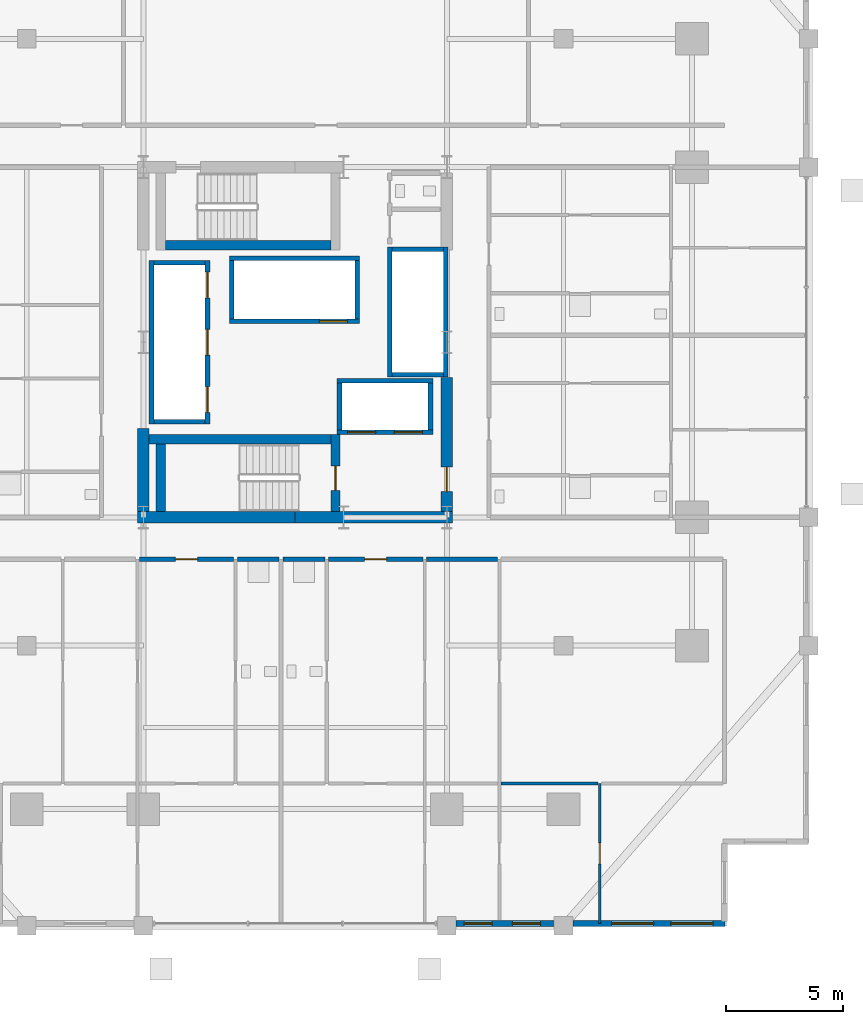
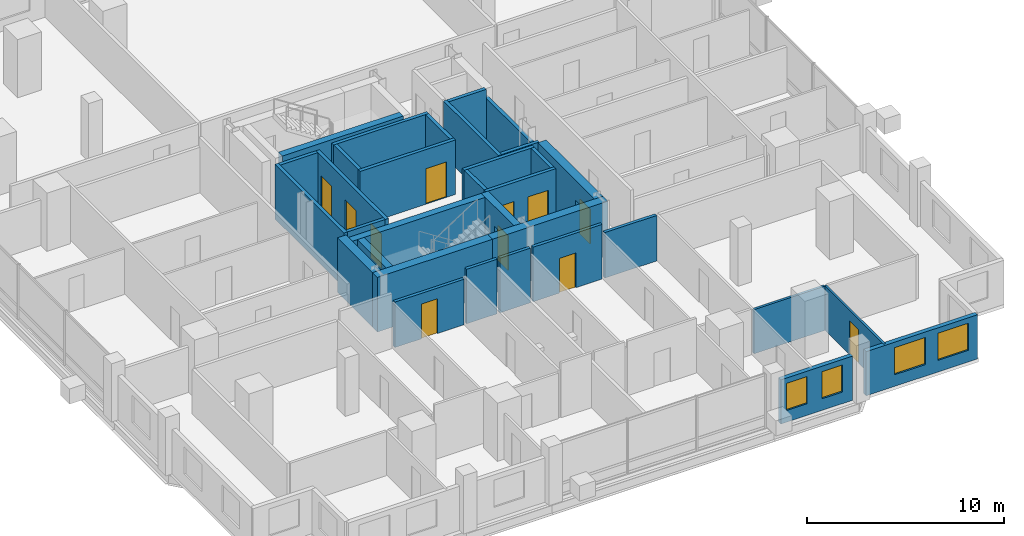
# One storey, part 18 of 23: 33 walls, 11 doors, 4 windows, 15 openings.
"""IFC4 building model written with IfcOpenShell, lengths in metres."""

from ifc_helpers import new_model, si_unit, direction, frame, frame_2d, origin, place, context, subcontext, project, spatial, rectangle, extrude, material, layer, layer_set, type_object, element, fill, save


model = new_model("IFC4")

# Units and contexts
model_context = context("Model", 3, precision=1e-05, world=origin(), true_north=direction((0.0, 1.0)))
body_context = subcontext(model_context, "Body", "Model", "MODEL_VIEW")
ifc_project = project(units=[si_unit("LENGTHUNIT", "METRE"), si_unit("AREAUNIT", "SQUARE_METRE"), si_unit("VOLUMEUNIT", "CUBIC_METRE"), si_unit("PLANEANGLEUNIT", "RADIAN"), si_unit("MASSUNIT", "GRAM", prefix="KILO")], contexts=[model_context])

# Site, building, storey
site_placement = place(None, origin())
site = spatial("IfcSite", under=ifc_project, at=site_placement, CompositionType="ELEMENT")
building_placement = place(site_placement, origin())
building = spatial("IfcBuilding", under=site, at=building_placement, Name="Barlavira Tower and Art Museum", CompositionType="ELEMENT")
storey_placement = place(building_placement, frame((0.0, 0.0, 75.60009765625)))
storey = spatial("IfcBuildingStorey", under=building, at=storey_placement, Name="L18", CompositionType="ELEMENT", Elevation=75.60009765625)

# Wall, opening, door
ifc_material_1 = material(Name="Gypsum acoustic stud partition", Category="gypsum")
ifc_layer_1 = layer(ifc_material_1, 0.1201171875, Name="Gypsum acoustic stud partition")
ifc_layer_set_1 = layer_set([ifc_layer_1], Name="Gypsum acoustic stud partition")
wall_type_1 = type_object("IfcWallType", Name="Apartment Internal Acoustic Partition 120", PredefinedType="PARTITIONING", material=ifc_layer_set_1)
wall_1_placement = place(storey_placement, frame((13.050048828125, -24.89990234375, 0.0), z_axis=(0.0, 0.0, 1.0), x_axis=(0.0, 1.0, 0.0)))
wall_1 = element("IfcWall", 1, at=wall_1_placement, inside=storey, type_object=wall_type_1, Name="L18 Partition Wall 16", PredefinedType="PARTITIONING", context=body_context, shape_type="SweptSolid", body=[
    extrude(rectangle(XDim=6.0, YDim=0.1201171875, at=frame_2d((3.0, 0.0))), origin(), (0.0, 0.0, 1.0), 2.73583984375),
])
opening_1_placement = place(wall_1_placement, frame((2.550048828125, 0.0, 0.0)))
opening_1 = element("IfcOpeningElement", 2, at=opening_1_placement, cuts=wall_1, Name="Opening D-01", PredefinedType="OPENING", context=body_context, shape_type="SweptSolid", body=[
    extrude(rectangle(XDim=0.89990234375, YDim=2.10009765625, at=frame_2d((0.449951171875, 1.050048828125))), frame((0.0, 0.070068359375, 0.0), z_axis=(0.0, -1.0, 0.0), x_axis=(1.0, 0.0, 0.0)), (0.0, 0.0, 1.0), 0.14013671875),
])
ifc_material_2 = material(Name="Engineered coastal hardwood", Category="wood")
door_type_1 = type_object("IfcDoorType", Name="Internal Bedroom Timber Flush Door 900x2100", OperationType="NOTDEFINED", PredefinedType="DOOR", material=ifc_material_2)
door_1_placement = place(opening_1_placement, origin())
door_1 = element("IfcDoor", 3, at=door_1_placement, inside=storey, type_object=door_type_1, Name="Apartment S2 Bedroom 3 Door", OperationType="SINGLE_SWING_RIGHT", OverallHeight=2.10009765625, OverallWidth=0.89990234375, PredefinedType="DOOR", context=body_context, shape_type="SweptSolid", body=[
    extrude(rectangle(XDim=0.89990234375, YDim=2.10009765625, at=frame_2d((0.449951171875, 1.050048828125))), frame((0.0, 0.02490234375, 0.0), z_axis=(0.0, -1.0, 0.0), x_axis=(1.0, 0.0, 0.0)), (0.0, 0.0, 1.0), 0.050048828125),
])
fill(opening_1, door_1)

# Walls
ifc_material_3 = material(Name="Concrete C60", Category="concrete")
ifc_layer_2 = layer(ifc_material_3, 0.5, Name="Concrete C60")
ifc_layer_set_2 = layer_set([ifc_layer_2], Name="Concrete C60")
wall_type_2 = type_object("IfcWallType", Name="Core Structural Shear Wall 500 Concrete C60", PredefinedType="SHEAR", material=ifc_layer_set_2)
for number, where, z_axis, x_axis, name in (
    (4, (-6.75, -7.5, 0.0), (0.0, 0.0, 1.0), (1.0, 0.0, 0.0), "L18 Core Shear Wall CS-SW"),
    (5, (0.0, -7.5, 0.0), (0.0, 0.0, 1.0), (1.0, 0.0, 0.0), "L18 Core Shear Wall CS-SE"),
):
    element("IfcWall", number, at=place(storey_placement, frame(where, z_axis=z_axis, x_axis=x_axis)), inside=storey, type_object=wall_type_2, Name=name, PredefinedType="SHEAR", context=body_context, shape_type="SweptSolid", body=[
        extrude(rectangle(XDim=6.75, YDim=0.5, at=frame_2d((3.375, 0.0))), origin(), (0.0, 0.0, 1.0), 3.3798828125),
    ])
wall_2_placement = place(storey_placement, frame((-6.5, -7.25, 0.0), z_axis=(0.0, 0.0, 1.0), x_axis=(0.0, 1.0, 0.0)))
element("IfcWall", 6, at=wall_2_placement, inside=storey, type_object=wall_type_2, Name="L18 Core Shear Wall CS-W1", PredefinedType="SHEAR", context=body_context, shape_type="SweptSolid", body=[
    extrude(rectangle(XDim=3.550048828125, YDim=0.5, at=frame_2d((1.77490234375, 0.0))), origin(), (0.0, 0.0, 1.0), 3.3798828125),
])

# Wall, opening, door
wall_3_placement = place(storey_placement, frame((6.5, -7.25, 0.0), z_axis=(0.0, 0.0, 1.0), x_axis=(0.0, 1.0, 0.0)))
wall_3 = element("IfcWall", 7, at=wall_3_placement, inside=storey, type_object=wall_type_2, Name="L18 Core Shear Wall CS-E1", PredefinedType="SHEAR", context=body_context, shape_type="SweptSolid", body=[
    extrude(rectangle(XDim=5.75, YDim=0.5, at=frame_2d((2.875, 0.0))), origin(), (0.0, 0.0, 1.0), 3.3798828125),
])
opening_2_placement = place(wall_3_placement, frame((0.85009765625, 0.0, 0.0)))
opening_2 = element("IfcOpeningElement", 8, at=opening_2_placement, cuts=wall_3, Name="Opening FD-90", PredefinedType="OPENING", context=body_context, shape_type="SweptSolid", body=[
    extrude(rectangle(XDim=1.050048828125, YDim=2.14990234375, at=frame_2d((0.52490234375, 1.074951171875))), frame((0.0, 0.260009765625, 0.0), z_axis=(0.0, -1.0, 0.0), x_axis=(1.0, 0.0, 0.0)), (0.0, 0.0, 1.0), 0.52001953125),
])
ifc_material_4 = material(Name="Brushed stainless steel", Category="steel")
door_type_2 = type_object("IfcDoorType", Name="Stair and Refuge Fire Door 1050x2150 FD90S", OperationType="NOTDEFINED", PredefinedType="DOOR", material=ifc_material_4)
door_2_placement = place(opening_2_placement, origin())
door_2 = element("IfcDoor", 9, at=door_2_placement, inside=storey, type_object=door_type_2, Name="L18 Firefighting Lobby Entry Fire Door", OperationType="SINGLE_SWING_LEFT", OverallHeight=2.14990234375, OverallWidth=1.050048828125, PredefinedType="DOOR", context=body_context, shape_type="SweptSolid", body=[
    extrude(rectangle(XDim=1.050048828125, YDim=2.14990234375, at=frame_2d((0.52490234375, 1.074951171875))), frame((0.0, 0.02490234375, 0.0), z_axis=(0.0, -1.0, 0.0), x_axis=(1.0, 0.0, 0.0)), (0.0, 0.0, 1.0), 0.050048828125),
])
fill(opening_2, door_2)

# Wall, openings, doors
ifc_material_5 = material(Name="Autoclaved aerated concrete masonry", Category="masonry")
ifc_layer_3 = layer(ifc_material_5, 0.199951171875, Name="Autoclaved aerated concrete masonry")
ifc_layer_set_3 = layer_set([ifc_layer_3], Name="Autoclaved aerated concrete masonry")
wall_type_3 = type_object("IfcWallType", Name="Fire Compartment and Shaft Wall 200", PredefinedType="SOLIDWALL", material=ifc_layer_set_3)
wall_4_placement = place(storey_placement, frame((-3.75, -3.510009765625, 0.0), z_axis=(0.0, 0.0, 1.0), x_axis=(0.0, 1.0, 0.0)))
wall_4 = element("IfcWall", 10, at=wall_4_placement, inside=storey, type_object=wall_type_3, Name="L18 Low-Rise Lift Front Shaft Wall", PredefinedType="SOLIDWALL", context=body_context, shape_type="SweptSolid", body=[
    extrude(rectangle(XDim=7.02001953125, YDim=0.199951171875, at=frame_2d((3.510009765625, 0.0))), origin(), (0.0, 0.0, 1.0), 3.3798828125),
])
opening_3_placement = place(wall_4_placement, frame((0.510009765625, 0.0, 0.0)))
opening_3 = element("IfcOpeningElement", 11, at=opening_3_placement, cuts=wall_4, Name="Opening LD-P", PredefinedType="OPENING", context=body_context, shape_type="SweptSolid", body=[
    extrude(rectangle(XDim=1.10009765625, YDim=2.14990234375, at=frame_2d((0.550048828125, 1.074951171875))), frame((0.0, 0.10986328125, 0.0), z_axis=(0.0, -1.0, 0.0), x_axis=(1.0, 0.0, 0.0)), (0.0, 0.0, 1.0), 0.219970703125),
])
opening_4_placement = place(wall_4_placement, frame((2.9599609375, 0.0, 0.0)))
opening_4 = element("IfcOpeningElement", 12, at=opening_4_placement, cuts=wall_4, Name="Opening LD-P", PredefinedType="OPENING", context=body_context, shape_type="SweptSolid", body=[
    extrude(rectangle(XDim=1.10009765625, YDim=2.14990234375, at=frame_2d((0.550048828125, 1.074951171875))), frame((0.0, 0.10986328125, 0.0), z_axis=(0.0, -1.0, 0.0), x_axis=(1.0, 0.0, 0.0)), (0.0, 0.0, 1.0), 0.219970703125),
])
opening_5_placement = place(wall_4_placement, frame((5.409912109375, 0.0, 0.0)))
opening_5 = element("IfcOpeningElement", 13, at=opening_5_placement, cuts=wall_4, Name="Opening LD-P", PredefinedType="OPENING", context=body_context, shape_type="SweptSolid", body=[
    extrude(rectangle(XDim=1.10009765625, YDim=2.14990234375, at=frame_2d((0.550048828125, 1.074951171875))), frame((0.0, 0.10986328125, 0.0), z_axis=(0.0, -1.0, 0.0), x_axis=(1.0, 0.0, 0.0)), (0.0, 0.0, 1.0), 0.219970703125),
])
door_type_3 = type_object("IfcDoorType", Name="Passenger Lift Sliding Landing Door 1100x2150 FD60", OperationType="NOTDEFINED", PredefinedType="DOOR", material=ifc_material_4)
door_3_placement = place(opening_3_placement, origin())
door_3 = element("IfcDoor", 14, at=door_3_placement, inside=storey, type_object=door_type_3, Name="L18 Lift PL1 Sliding Landing Door", OperationType="DOUBLE_DOOR_SLIDING", OverallHeight=2.14990234375, OverallWidth=1.10009765625, PredefinedType="DOOR", context=body_context, shape_type="SweptSolid", body=[
    extrude(rectangle(XDim=1.10009765625, YDim=2.14990234375, at=frame_2d((0.550048828125, 1.074951171875))), frame((0.0, 0.02490234375, 0.0), z_axis=(0.0, -1.0, 0.0), x_axis=(1.0, 0.0, 0.0)), (0.0, 0.0, 1.0), 0.050048828125),
])
fill(opening_3, door_3)
door_4_placement = place(opening_4_placement, origin())
door_4 = element("IfcDoor", 15, at=door_4_placement, inside=storey, type_object=door_type_3, Name="L18 Lift PL2 Sliding Landing Door", OperationType="DOUBLE_DOOR_SLIDING", OverallHeight=2.14990234375, OverallWidth=1.10009765625, PredefinedType="DOOR", context=body_context, shape_type="SweptSolid", body=[
    extrude(rectangle(XDim=1.10009765625, YDim=2.14990234375, at=frame_2d((0.550048828125, 1.074951171875))), frame((0.0, 0.02490234375, 0.0), z_axis=(0.0, -1.0, 0.0), x_axis=(1.0, 0.0, 0.0)), (0.0, 0.0, 1.0), 0.050048828125),
])
fill(opening_4, door_4)
door_5_placement = place(opening_5_placement, origin())
door_5 = element("IfcDoor", 16, at=door_5_placement, inside=storey, type_object=door_type_3, Name="L18 Lift PL3 Sliding Landing Door", OperationType="DOUBLE_DOOR_SLIDING", OverallHeight=2.14990234375, OverallWidth=1.10009765625, PredefinedType="DOOR", context=body_context, shape_type="SweptSolid", body=[
    extrude(rectangle(XDim=1.10009765625, YDim=2.14990234375, at=frame_2d((0.550048828125, 1.074951171875))), frame((0.0, 0.02490234375, 0.0), z_axis=(0.0, -1.0, 0.0), x_axis=(1.0, 0.0, 0.0)), (0.0, 0.0, 1.0), 0.050048828125),
])
fill(opening_5, door_5)

# Walls
wall_5_placement = place(storey_placement, frame((-6.14990234375, -3.510009765625, 0.0), z_axis=(0.0, 0.0, 1.0), x_axis=(0.0, 1.0, 0.0)))
element("IfcWall", 17, at=wall_5_placement, inside=storey, type_object=wall_type_3, Name="L18 Low-Rise Lift Back Shaft Wall", PredefinedType="SOLIDWALL", context=body_context, shape_type="SweptSolid", body=[
    extrude(rectangle(XDim=7.02001953125, YDim=0.199951171875, at=frame_2d((3.510009765625, 0.0))), origin(), (0.0, 0.0, 1.0), 3.3798828125),
])
for number, where, z_axis, x_axis, name in (
    (18, (-6.050048828125, -3.409912109375, 0.0), (0.0, 0.0, 1.0), (1.0, 0.0, 0.0), "L18 Low-Rise Lift South Shaft Wall"),
    (19, (-6.050048828125, 3.409912109375, 0.0), (0.0, 0.0, 1.0), (1.0, 0.0, 0.0), "L18 Low-Rise Lift North Shaft Wall"),
):
    element("IfcWall", number, at=place(storey_placement, frame(where, z_axis=z_axis, x_axis=x_axis)), inside=storey, type_object=wall_type_3, Name=name, PredefinedType="SOLIDWALL", context=body_context, shape_type="SweptSolid", body=[
        extrude(rectangle(XDim=2.199951171875, YDim=0.199951171875, at=frame_2d((1.10009765625, 0.0))), origin(), (0.0, 0.0, 1.0), 3.3798828125),
    ])
wall_6_placement = place(storey_placement, frame((4.050048828125, -1.489990234375, 0.0), z_axis=(0.0, 0.0, 1.0), x_axis=(0.0, 1.0, 0.0)))
element("IfcWall", 20, at=wall_6_placement, inside=storey, type_object=wall_type_3, Name="L18 Mid-Rise Lift Front Shaft Wall", PredefinedType="SOLIDWALL", context=body_context, shape_type="SweptSolid", body=[
    extrude(rectangle(XDim=5.580078125, YDim=0.199951171875, at=frame_2d((2.7900390625, 0.0))), origin(), (0.0, 0.0, 1.0), 3.3798828125),
])
wall_7_placement = place(storey_placement, frame((6.449951171875, -1.489990234375, 0.0), z_axis=(0.0, 0.0, 1.0), x_axis=(0.0, 1.0, 0.0)))
element("IfcWall", 21, at=wall_7_placement, inside=storey, type_object=wall_type_3, Name="L18 Mid-Rise Lift Back Shaft Wall", PredefinedType="SOLIDWALL", context=body_context, shape_type="SweptSolid", body=[
    extrude(rectangle(XDim=5.580078125, YDim=0.199951171875, at=frame_2d((2.7900390625, 0.0))), origin(), (0.0, 0.0, 1.0), 2.81591796875),
])
for number, where, z_axis, x_axis, name in (
    (22, (4.14990234375, -1.389892578125, 0.0), (0.0, 0.0, 1.0), (1.0, 0.0, 0.0), "L18 Mid-Rise Lift South Shaft Wall"),
    (23, (4.14990234375, 3.989990234375, 0.0), (0.0, 0.0, 1.0), (1.0, 0.0, 0.0), "L18 Mid-Rise Lift North Shaft Wall"),
):
    element("IfcWall", number, at=place(storey_placement, frame(where, z_axis=z_axis, x_axis=x_axis)), inside=storey, type_object=wall_type_3, Name=name, PredefinedType="SOLIDWALL", context=body_context, shape_type="SweptSolid", body=[
        extrude(rectangle(XDim=2.2001953125, YDim=0.199951171875, at=frame_2d((1.10009765625, 0.0))), origin(), (0.0, 0.0, 1.0), 3.3798828125),
    ])

# Wall, opening, door
wall_8_placement = place(storey_placement, frame((-2.820068359375, 0.89990234375, 0.0), z_axis=(0.0, 0.0, 1.0), x_axis=(1.0, 0.0, 0.0)))
wall_8 = element("IfcWall", 24, at=wall_8_placement, inside=storey, type_object=wall_type_3, Name="L18 High-Rise & Service Lift Front Wall", PredefinedType="SOLIDWALL", context=body_context, shape_type="SweptSolid", body=[
    extrude(rectangle(XDim=5.580078125, YDim=0.199951171875, at=frame_2d((2.7900390625, 0.0))), origin(), (0.0, 0.0, 1.0), 3.3798828125),
])
opening_6_placement = place(wall_8_placement, frame((3.860107421875, 0.0, 0.0)))
opening_6 = element("IfcOpeningElement", 25, at=opening_6_placement, cuts=wall_8, Name="Opening LD-F", PredefinedType="OPENING", context=body_context, shape_type="SweptSolid", body=[
    extrude(rectangle(XDim=1.199951171875, YDim=2.199951171875, at=frame_2d((0.60009765625, 1.10009765625))), frame((0.0, 0.10986328125, 0.0), z_axis=(0.0, -1.0, 0.0), x_axis=(1.0, 0.0, 0.0)), (0.0, 0.0, 1.0), 0.219970703125),
])
door_type_4 = type_object("IfcDoorType", Name="Firefighting and Service Lift Sliding Door 1200x2200 FD120", OperationType="NOTDEFINED", PredefinedType="DOOR", material=ifc_material_4)
door_6_placement = place(opening_6_placement, origin())
door_6 = element("IfcDoor", 26, at=door_6_placement, inside=storey, type_object=door_type_4, Name="L18 Stretcher Service Lift SL1 Sliding Door", OperationType="DOUBLE_DOOR_SLIDING", OverallHeight=2.199951171875, OverallWidth=1.199951171875, PredefinedType="DOOR", context=body_context, shape_type="SweptSolid", body=[
    extrude(rectangle(XDim=1.199951171875, YDim=2.199951171875, at=frame_2d((0.60009765625, 1.10009765625))), frame((0.0, 0.02490234375, 0.0), z_axis=(0.0, -1.0, 0.0), x_axis=(1.0, 0.0, 0.0)), (0.0, 0.0, 1.0), 0.050048828125),
])
fill(opening_6, door_6)

# Walls
wall_9_placement = place(storey_placement, frame((-2.820068359375, 3.60009765625, 0.0), z_axis=(0.0, 0.0, 1.0), x_axis=(1.0, 0.0, 0.0)))
element("IfcWall", 27, at=wall_9_placement, inside=storey, type_object=wall_type_3, Name="L18 High-Rise & Service Lift Back Wall", PredefinedType="SOLIDWALL", context=body_context, shape_type="SweptSolid", body=[
    extrude(rectangle(XDim=5.580078125, YDim=0.199951171875, at=frame_2d((2.7900390625, 0.0))), origin(), (0.0, 0.0, 1.0), 3.3798828125),
])
for number, where, z_axis, x_axis, name in (
    (28, (-2.719970703125, 1.0, 0.0), (0.0, 0.0, 1.0), (0.0, 1.0, 0.0), "L18 High-Rise & Service Lift West Wall"),
    (29, (2.659912109375, 1.0, 0.0), (0.0, 0.0, 1.0), (0.0, 1.0, 0.0), "L18 High-Rise & Service Lift East Wall"),
):
    element("IfcWall", number, at=place(storey_placement, frame(where, z_axis=z_axis, x_axis=x_axis)), inside=storey, type_object=wall_type_3, Name=name, PredefinedType="SOLIDWALL", context=body_context, shape_type="SweptSolid", body=[
        extrude(rectangle(XDim=2.5, YDim=0.199951171875, at=frame_2d((1.25, 0.0))), origin(), (0.0, 0.0, 1.0), 3.3798828125),
    ])

# Wall, openings, doors
wall_10_placement = place(storey_placement, frame((1.800048828125, -3.85009765625, 0.0), z_axis=(0.0, 0.0, 1.0), x_axis=(1.0, 0.0, 0.0)))
wall_10 = element("IfcWall", 30, at=wall_10_placement, inside=storey, type_object=wall_type_3, Name="L18 Firefighting Lift Front Shaft Wall", PredefinedType="SOLIDWALL", context=body_context, shape_type="SweptSolid", body=[
    extrude(rectangle(XDim=4.099853515625, YDim=0.199951171875, at=frame_2d((2.0498046875, 0.0))), origin(), (0.0, 0.0, 1.0), 3.3798828125),
])
opening_7_placement = place(wall_10_placement, frame((0.449951171875, 0.0, 0.0)))
opening_7 = element("IfcOpeningElement", 31, at=opening_7_placement, cuts=wall_10, Name="Opening LD-F", PredefinedType="OPENING", context=body_context, shape_type="SweptSolid", body=[
    extrude(rectangle(XDim=1.199951171875, YDim=2.199951171875, at=frame_2d((0.60009765625, 1.10009765625))), frame((0.0, 0.10986328125, 0.0), z_axis=(0.0, -1.0, 0.0), x_axis=(1.0, 0.0, 0.0)), (0.0, 0.0, 1.0), 0.219970703125),
])
opening_8_placement = place(wall_10_placement, frame((2.449951171875, 0.0, 0.0)))
opening_8 = element("IfcOpeningElement", 32, at=opening_8_placement, cuts=wall_10, Name="Opening LD-F", PredefinedType="OPENING", context=body_context, shape_type="SweptSolid", body=[
    extrude(rectangle(XDim=1.199951171875, YDim=2.199951171875, at=frame_2d((0.60009765625, 1.10009765625))), frame((0.0, 0.10986328125, 0.0), z_axis=(0.0, -1.0, 0.0), x_axis=(1.0, 0.0, 0.0)), (0.0, 0.0, 1.0), 0.219970703125),
])
door_7_placement = place(opening_7_placement, origin())
door_7 = element("IfcDoor", 33, at=door_7_placement, inside=storey, type_object=door_type_4, Name="L18 Firefighting Lift FF1 Sliding Door", OperationType="DOUBLE_DOOR_SLIDING", OverallHeight=2.199951171875, OverallWidth=1.199951171875, PredefinedType="DOOR", context=body_context, shape_type="SweptSolid", body=[
    extrude(rectangle(XDim=1.199951171875, YDim=2.199951171875, at=frame_2d((0.60009765625, 1.10009765625))), frame((0.0, 0.02490234375, 0.0), z_axis=(0.0, -1.0, 0.0), x_axis=(1.0, 0.0, 0.0)), (0.0, 0.0, 1.0), 0.050048828125),
])
fill(opening_7, door_7)
door_8_placement = place(opening_8_placement, origin())
door_8 = element("IfcDoor", 34, at=door_8_placement, inside=storey, type_object=door_type_4, Name="L18 Firefighting Lift FF2 Sliding Door", OperationType="DOUBLE_DOOR_SLIDING", OverallHeight=2.199951171875, OverallWidth=1.199951171875, PredefinedType="DOOR", context=body_context, shape_type="SweptSolid", body=[
    extrude(rectangle(XDim=1.199951171875, YDim=2.199951171875, at=frame_2d((0.60009765625, 1.10009765625))), frame((0.0, 0.02490234375, 0.0), z_axis=(0.0, -1.0, 0.0), x_axis=(1.0, 0.0, 0.0)), (0.0, 0.0, 1.0), 0.050048828125),
])
fill(opening_8, door_8)

# Walls
wall_11_placement = place(storey_placement, frame((1.800048828125, -1.64990234375, 0.0), z_axis=(0.0, 0.0, 1.0), x_axis=(1.0, 0.0, 0.0)))
element("IfcWall", 35, at=wall_11_placement, inside=storey, type_object=wall_type_3, Name="L18 Firefighting Lift Back Shaft Wall", PredefinedType="SOLIDWALL", context=body_context, shape_type="SweptSolid", body=[
    extrude(rectangle(XDim=4.099853515625, YDim=0.199951171875, at=frame_2d((2.0498046875, 0.0))), origin(), (0.0, 0.0, 1.0), 3.3798828125),
])
for number, where, z_axis, x_axis, name in (
    (36, (1.89990234375, -3.75, 0.0), (0.0, 0.0, 1.0), (0.0, 1.0, 0.0), "L18 Firefighting Lift West Shaft Wall"),
    (37, (5.800048828125, -3.75, 0.0), (0.0, 0.0, 1.0), (0.0, 1.0, 0.0), "L18 Firefighting Lift East Shaft Wall"),
):
    element("IfcWall", number, at=place(storey_placement, frame(where, z_axis=z_axis, x_axis=x_axis)), inside=storey, type_object=wall_type_3, Name=name, PredefinedType="SOLIDWALL", context=body_context, shape_type="SweptSolid", body=[
        extrude(rectangle(XDim=2.0, YDim=0.199951171875, at=frame_2d((1.0, 0.0))), origin(), (0.0, 0.0, 1.0), 3.3798828125),
    ])

# Wall, opening, door
ifc_layer_4 = layer(ifc_material_1, 0.179931640625, Name="Gypsum acoustic stud partition")
ifc_layer_set_4 = layer_set([ifc_layer_4], Name="Gypsum acoustic stud partition")
wall_type_4 = type_object("IfcWallType", Name="Inter-Tenancy Party Partition Wall 180", PredefinedType="PARTITIONING", material=ifc_layer_set_4)
wall_12_placement = place(storey_placement, frame((-6.669921875, -9.300048828125, 0.0), z_axis=(0.0, 0.0, 1.0), x_axis=(1.0, 0.0, 0.0)))
wall_12 = element("IfcWall", 38, at=wall_12_placement, inside=storey, type_object=wall_type_4, Name="L18 Partition Wall 31", PredefinedType="PARTITIONING", context=body_context, shape_type="SweptSolid", body=[
    extrude(rectangle(XDim=4.0400390625, YDim=0.179931640625, at=frame_2d((2.02001953125, 0.0))), origin(), (0.0, 0.0, 1.0), 2.81591796875),
])
opening_9_placement = place(wall_12_placement, frame((1.544921875, 0.0, 0.0)))
opening_9 = element("IfcOpeningElement", 39, at=opening_9_placement, cuts=wall_12, Name="Opening FD-60", PredefinedType="OPENING", context=body_context, shape_type="SweptSolid", body=[
    extrude(rectangle(XDim=0.949951171875, YDim=2.14990234375, at=frame_2d((0.47509765625, 1.074951171875))), frame((0.0, 0.10009765625, 0.0), z_axis=(0.0, -1.0, 0.0), x_axis=(1.0, 0.0, 0.0)), (0.0, 0.0, 1.0), 0.199951171875),
])
door_type_5 = type_object("IfcDoorType", Name="Apartment Entrance and Riser Fire Door 950x2150 FD60S", OperationType="NOTDEFINED", PredefinedType="DOOR", material=ifc_material_4)
door_9_placement = place(opening_9_placement, origin())
door_9 = element("IfcDoor", 40, at=door_9_placement, inside=storey, type_object=door_type_5, Name="Apartment Entrance Hall S1 Door", OperationType="SINGLE_SWING_LEFT", OverallHeight=2.14990234375, OverallWidth=0.949951171875, PredefinedType="DOOR", context=body_context, shape_type="SweptSolid", body=[
    extrude(rectangle(XDim=0.949951171875, YDim=2.14990234375, at=frame_2d((0.47509765625, 1.074951171875))), frame((0.0, 0.02490234375, 0.0), z_axis=(0.0, -1.0, 0.0), x_axis=(1.0, 0.0, 0.0)), (0.0, 0.0, 1.0), 0.050048828125),
])
fill(opening_9, door_9)

# Walls
for number, where, z_axis, x_axis, name in (
    (41, (-2.469970703125, -9.300048828125, 0.0), (0.0, 0.0, 1.0), (1.0, 0.0, 0.0), "L18 Partition Wall 32"),
    (42, (-0.52001953125, -9.300048828125, 0.0), (0.0, 0.0, 1.0), (1.0, 0.0, 0.0), "L18 Partition Wall 33"),
):
    element("IfcWall", number, at=place(storey_placement, frame(where, z_axis=z_axis, x_axis=x_axis)), inside=storey, type_object=wall_type_4, Name=name, PredefinedType="PARTITIONING", context=body_context, shape_type="SweptSolid", body=[
        extrude(rectangle(XDim=1.7900390625, YDim=0.179931640625, at=frame_2d((0.89501953125, 0.0))), origin(), (0.0, 0.0, 1.0), 3.3798828125),
    ])

# Wall, opening, door
wall_13_placement = place(storey_placement, frame((1.429931640625, -9.300048828125, 0.0), z_axis=(0.0, 0.0, 1.0), x_axis=(1.0, 0.0, 0.0)))
wall_13 = element("IfcWall", 43, at=wall_13_placement, inside=storey, type_object=wall_type_4, Name="L18 Partition Wall 34", PredefinedType="PARTITIONING", context=body_context, shape_type="SweptSolid", body=[
    extrude(rectangle(XDim=4.0400390625, YDim=0.179931640625, at=frame_2d((2.02001953125, 0.0))), origin(), (0.0, 0.0, 1.0), 3.3798828125),
])
opening_10_placement = place(wall_13_placement, frame((1.544921875, 0.0, 0.0)))
opening_10 = element("IfcOpeningElement", 44, at=opening_10_placement, cuts=wall_13, Name="Opening FD-60", PredefinedType="OPENING", context=body_context, shape_type="SweptSolid", body=[
    extrude(rectangle(XDim=0.949951171875, YDim=2.14990234375, at=frame_2d((0.47509765625, 1.074951171875))), frame((0.0, 0.10009765625, 0.0), z_axis=(0.0, -1.0, 0.0), x_axis=(1.0, 0.0, 0.0)), (0.0, 0.0, 1.0), 0.199951171875),
])
door_10_placement = place(opening_10_placement, origin())
door_10 = element("IfcDoor", 45, at=door_10_placement, inside=storey, type_object=door_type_5, Name="Apartment Entrance Hall S2 Door", OperationType="SINGLE_SWING_RIGHT", OverallHeight=2.14990234375, OverallWidth=0.949951171875, PredefinedType="DOOR", context=body_context, shape_type="SweptSolid", body=[
    extrude(rectangle(XDim=0.949951171875, YDim=2.14990234375, at=frame_2d((0.47509765625, 1.074951171875))), frame((0.0, 0.02490234375, 0.0), z_axis=(0.0, -1.0, 0.0), x_axis=(1.0, 0.0, 0.0)), (0.0, 0.0, 1.0), 0.050048828125),
])
fill(opening_10, door_10)

# Walls
wall_14_placement = place(storey_placement, frame((5.6298828125, -9.300048828125, 0.0), z_axis=(0.0, 0.0, 1.0), x_axis=(1.0, 0.0, 0.0)))
element("IfcWall", 46, at=wall_14_placement, inside=storey, type_object=wall_type_4, Name="L18 Partition Wall 35", PredefinedType="PARTITIONING", context=body_context, shape_type="SweptSolid", body=[
    extrude(rectangle(XDim=3.0400390625, YDim=0.179931640625, at=frame_2d((1.52001953125, 0.0))), origin(), (0.0, 0.0, 1.0), 2.81591796875),
])
ifc_layer_5 = layer(ifc_material_1, 0.139892578125, Name="Gypsum acoustic stud partition")
ifc_layer_set_5 = layer_set([ifc_layer_5], Name="Gypsum acoustic stud partition")
wall_type_5 = type_object("IfcWallType", Name="Moisture-Resistant Bathroom Partition 140", PredefinedType="PARTITIONING", material=ifc_layer_set_5)
wall_15_placement = place(storey_placement, frame((8.830078125, -18.89990234375, 0.0), z_axis=(0.0, 0.0, 1.0), x_axis=(1.0, 0.0, 0.0)))
element("IfcWall", 47, at=wall_15_placement, inside=storey, type_object=wall_type_5, Name="L18 Partition Wall 27", PredefinedType="PARTITIONING", context=body_context, shape_type="SweptSolid", body=[
    extrude(rectangle(XDim=4.139892578125, YDim=0.139892578125, at=frame_2d((2.06982421875, 0.0))), origin(), (0.0, 0.0, 1.0), 2.73583984375),
])

# Wall, openings, windows
ifc_material_6 = material(Name="Precast concrete C40", Category="concrete")
ifc_layer_6 = layer(ifc_material_6, 0.25, Name="Precast concrete C40")
ifc_layer_set_6 = layer_set([ifc_layer_6], Name="Precast concrete C40")
wall_type_6 = type_object("IfcWallType", Name="Notched Corner Spandrel Wall 250 Precast Concrete C40", PredefinedType="SOLIDWALL", material=ifc_layer_set_6)
wall_16_placement = place(storey_placement, frame((6.89501953125, -24.89990234375, 0.0), z_axis=(0.0, 0.0, 1.0), x_axis=(1.0, 0.0, 0.0)))
wall_16 = element("IfcWall", 48, at=wall_16_placement, inside=storey, type_object=wall_type_6, Name="L18 Coastal Facade Pier Wall CW1-L18-S-4", PredefinedType="SOLIDWALL", context=body_context, shape_type="SweptSolid", body=[
    extrude(rectangle(XDim=4.2099609375, YDim=0.25, at=frame_2d((2.10498046875, 0.0))), origin(), (0.0, 0.0, 1.0), 2.73583984375),
])
opening_11_placement = place(wall_16_placement, frame((0.35009765625, 0.0, 0.719970703125)))
opening_11 = element("IfcOpeningElement", 49, at=opening_11_placement, cuts=wall_16, Name="Opening WN-05", PredefinedType="OPENING", context=body_context, shape_type="SweptSolid", body=[
    extrude(rectangle(XDim=1.199951171875, YDim=1.679931640625, at=frame_2d((0.60009765625, 0.83984375))), frame((0.0, 0.135009765625, 0.0), z_axis=(0.0, -1.0, 0.0), x_axis=(1.0, 0.0, 0.0)), (0.0, 0.0, 1.0), 0.27001953125),
])
opening_12_placement = place(wall_16_placement, frame((2.409912109375, 0.0, 0.719970703125)))
opening_12 = element("IfcOpeningElement", 50, at=opening_12_placement, cuts=wall_16, Name="Opening WN-05", PredefinedType="OPENING", context=body_context, shape_type="SweptSolid", body=[
    extrude(rectangle(XDim=1.199951171875, YDim=1.679931640625, at=frame_2d((0.60009765625, 0.83984375))), frame((0.0, 0.135009765625, 0.0), z_axis=(0.0, -1.0, 0.0), x_axis=(1.0, 0.0, 0.0)), (0.0, 0.0, 1.0), 0.27001953125),
])
ifc_material_7 = material(Name="Low-iron coastal laminated glass", Category="glass")
window_type_1 = type_object("IfcWindowType", Name="Recessed Flank Pier Punch Window 1200x1680", PartitioningType="SINGLE_PANEL", PredefinedType="WINDOW", material=ifc_material_7)
window_1_placement = place(opening_11_placement, origin())
window_1 = element("IfcWindow", 51, at=window_1_placement, inside=storey, type_object=window_type_1, Name="L18 Punched Facade Window EWP-CW1-L18-S-4-1", OverallHeight=1.679931640625, OverallWidth=1.199951171875, PartitioningType="SINGLE_PANEL", PredefinedType="WINDOW", context=body_context, shape_type="SweptSolid", body=[
    extrude(rectangle(XDim=1.199951171875, YDim=1.679931640625, at=frame_2d((0.60009765625, 0.83984375))), frame((0.0, 0.030029296875, 0.0), z_axis=(0.0, -1.0, 0.0), x_axis=(1.0, 0.0, 0.0)), (0.0, 0.0, 1.0), 0.06005859375),
])
fill(opening_11, window_1)
window_2_placement = place(opening_12_placement, origin())
window_2 = element("IfcWindow", 52, at=window_2_placement, inside=storey, type_object=window_type_1, Name="L18 Punched Facade Window EWP-CW1-L18-S-4-2", OverallHeight=1.679931640625, OverallWidth=1.199951171875, PartitioningType="SINGLE_PANEL", PredefinedType="WINDOW", context=body_context, shape_type="SweptSolid", body=[
    extrude(rectangle(XDim=1.199951171875, YDim=1.679931640625, at=frame_2d((0.60009765625, 0.83984375))), frame((0.0, 0.030029296875, 0.0), z_axis=(0.0, -1.0, 0.0), x_axis=(1.0, 0.0, 0.0)), (0.0, 0.0, 1.0), 0.06005859375),
])
fill(opening_12, window_2)

wall_17_placement = place(storey_placement, frame((11.89501953125, -24.89990234375, 0.0), z_axis=(0.0, 0.0, 1.0), x_axis=(1.0, 0.0, 0.0)))
wall_17 = element("IfcWall", 53, at=wall_17_placement, inside=storey, type_object=wall_type_6, Name="L18 Coastal Facade Pier Wall CW1-L18-S-5", PredefinedType="SOLIDWALL", context=body_context, shape_type="SweptSolid", body=[
    extrude(rectangle(XDim=6.530029296875, YDim=0.25, at=frame_2d((3.26513671875, 0.0))), origin(), (0.0, 0.0, 1.0), 2.73583984375),
])
opening_13_placement = place(wall_17_placement, frame((1.6640625, 0.0, 0.719970703125)))
opening_13 = element("IfcOpeningElement", 54, at=opening_13_placement, cuts=wall_17, Name="Opening WN-01", PredefinedType="OPENING", context=body_context, shape_type="SweptSolid", body=[
    extrude(rectangle(XDim=1.800048828125, YDim=1.679931640625, at=frame_2d((0.89990234375, 0.83984375))), frame((0.0, 0.135009765625, 0.0), z_axis=(0.0, -1.0, 0.0), x_axis=(1.0, 0.0, 0.0)), (0.0, 0.0, 1.0), 0.27001953125),
])
opening_14_placement = place(wall_17_placement, frame((4.200927734375, 0.0, 0.719970703125)))
opening_14 = element("IfcOpeningElement", 55, at=opening_14_placement, cuts=wall_17, Name="Opening WN-01", PredefinedType="OPENING", context=body_context, shape_type="SweptSolid", body=[
    extrude(rectangle(XDim=1.800048828125, YDim=1.679931640625, at=frame_2d((0.89990234375, 0.83984375))), frame((0.0, 0.135009765625, 0.0), z_axis=(0.0, -1.0, 0.0), x_axis=(1.0, 0.0, 0.0)), (0.0, 0.0, 1.0), 0.27001953125),
])
window_type_2 = type_object("IfcWindowType", Name="Recessed Notch Corner Punch Window 1800x1680", PartitioningType="SINGLE_PANEL", PredefinedType="WINDOW", material=ifc_material_7)
window_3_placement = place(opening_13_placement, origin())
window_3 = element("IfcWindow", 56, at=window_3_placement, inside=storey, type_object=window_type_2, Name="L18 Punched Facade Window EWP-CW1-L18-S-5-1", OverallHeight=1.679931640625, OverallWidth=1.800048828125, PartitioningType="SINGLE_PANEL", PredefinedType="WINDOW", context=body_context, shape_type="SweptSolid", body=[
    extrude(rectangle(XDim=1.800048828125, YDim=1.679931640625, at=frame_2d((0.89990234375, 0.83984375))), frame((0.0, 0.030029296875, 0.0), z_axis=(0.0, -1.0, 0.0), x_axis=(1.0, 0.0, 0.0)), (0.0, 0.0, 1.0), 0.06005859375),
])
fill(opening_13, window_3)
window_4_placement = place(opening_14_placement, origin())
window_4 = element("IfcWindow", 57, at=window_4_placement, inside=storey, type_object=window_type_2, Name="L18 Punched Facade Window EWP-CW1-L18-S-5-2", OverallHeight=1.679931640625, OverallWidth=1.800048828125, PartitioningType="SINGLE_PANEL", PredefinedType="WINDOW", context=body_context, shape_type="SweptSolid", body=[
    extrude(rectangle(XDim=1.800048828125, YDim=1.679931640625, at=frame_2d((0.89990234375, 0.83984375))), frame((0.0, 0.030029296875, 0.0), z_axis=(0.0, -1.0, 0.0), x_axis=(1.0, 0.0, 0.0)), (0.0, 0.0, 1.0), 0.06005859375),
])
fill(opening_14, window_4)

# Walls
ifc_material_8 = material(Name="Concrete C55", Category="concrete")
ifc_layer_7 = layer(ifc_material_8, 0.39990234375, Name="Concrete C55")
ifc_layer_set_7 = layer_set([ifc_layer_7], Name="Concrete C55")
wall_type_7 = type_object("IfcWallType", Name="Upper Core Shear Wall 400 Concrete C55", PredefinedType="SHEAR", material=ifc_layer_set_7)
wall_18_placement = place(storey_placement, frame((-5.75, -7.25, 0.0), z_axis=(0.0, 0.0, 1.0), x_axis=(0.0, 1.0, 0.0)))
element("IfcWall", 58, at=wall_18_placement, inside=storey, type_object=wall_type_7, Name="L18 ST-T1 West Half-Landing Wall", PredefinedType="SHEAR", context=body_context, shape_type="SweptSolid", body=[
    extrude(rectangle(XDim=2.89990234375, YDim=0.39990234375, at=frame_2d((1.449951171875, 0.0))), origin(), (0.0, 0.0, 1.0), 3.3798828125),
])
wall_19_placement = place(storey_placement, frame((-6.25, -4.14990234375, 0.0), z_axis=(0.0, 0.0, 1.0), x_axis=(1.0, 0.0, 0.0)))
element("IfcWall", 59, at=wall_19_placement, inside=storey, type_object=wall_type_7, Name="L18 ST-T1 North Shaft Wall", PredefinedType="SHEAR", context=body_context, shape_type="SweptSolid", body=[
    extrude(rectangle(XDim=7.780029296875, YDim=0.39990234375, at=frame_2d((3.89013671875, 0.0))), origin(), (0.0, 0.0, 1.0), 3.3798828125),
])

# Wall, opening, door
wall_20_placement = place(storey_placement, frame((1.72998046875, -7.25, 0.0), z_axis=(0.0, 0.0, 1.0), x_axis=(0.0, 1.0, 0.0)))
wall_20 = element("IfcWall", 60, at=wall_20_placement, inside=storey, type_object=wall_type_7, Name="L18 ST-T1 East Landing Wall", PredefinedType="SHEAR", context=body_context, shape_type="SweptSolid", body=[
    extrude(rectangle(XDim=3.300048828125, YDim=0.39990234375, at=frame_2d((1.64990234375, 0.0))), origin(), (0.0, 0.0, 1.0), 3.3798828125),
])
opening_15_placement = place(wall_20_placement, frame((0.89990234375, 0.0, 0.0)))
opening_15 = element("IfcOpeningElement", 61, at=opening_15_placement, cuts=wall_20, Name="Opening FD-90", PredefinedType="OPENING", context=body_context, shape_type="SweptSolid", body=[
    extrude(rectangle(XDim=1.050048828125, YDim=2.14990234375, at=frame_2d((0.52490234375, 1.074951171875))), frame((0.0, 0.2099609375, 0.0), z_axis=(0.0, -1.0, 0.0), x_axis=(1.0, 0.0, 0.0)), (0.0, 0.0, 1.0), 0.419921875),
])
door_11_placement = place(opening_15_placement, origin())
door_11 = element("IfcDoor", 62, at=door_11_placement, inside=storey, type_object=door_type_2, Name="L18 Stair ST-T1 Fire Door", OperationType="SINGLE_SWING_RIGHT", OverallHeight=2.14990234375, OverallWidth=1.050048828125, PredefinedType="DOOR", context=body_context, shape_type="SweptSolid", body=[
    extrude(rectangle(XDim=1.050048828125, YDim=2.14990234375, at=frame_2d((0.52490234375, 1.074951171875))), frame((0.0, 0.02490234375, 0.0), z_axis=(0.0, -1.0, 0.0), x_axis=(1.0, 0.0, 0.0)), (0.0, 0.0, 1.0), 0.050048828125),
])
fill(opening_15, door_11)

# Wall
wall_21_placement = place(storey_placement, frame((-5.550048828125, 4.14990234375, 0.0), z_axis=(0.0, 0.0, 1.0), x_axis=(1.0, 0.0, 0.0)))
element("IfcWall", 63, at=wall_21_placement, inside=storey, type_object=wall_type_7, Name="L18 ST-T2 South Shaft Wall", PredefinedType="SHEAR", context=body_context, shape_type="SweptSolid", body=[
    extrude(rectangle(XDim=7.080078125, YDim=0.39990234375, at=frame_2d((3.5400390625, 0.0))), origin(), (0.0, 0.0, 1.0), 3.3798828125),
])

save(model, "model.ifc")
